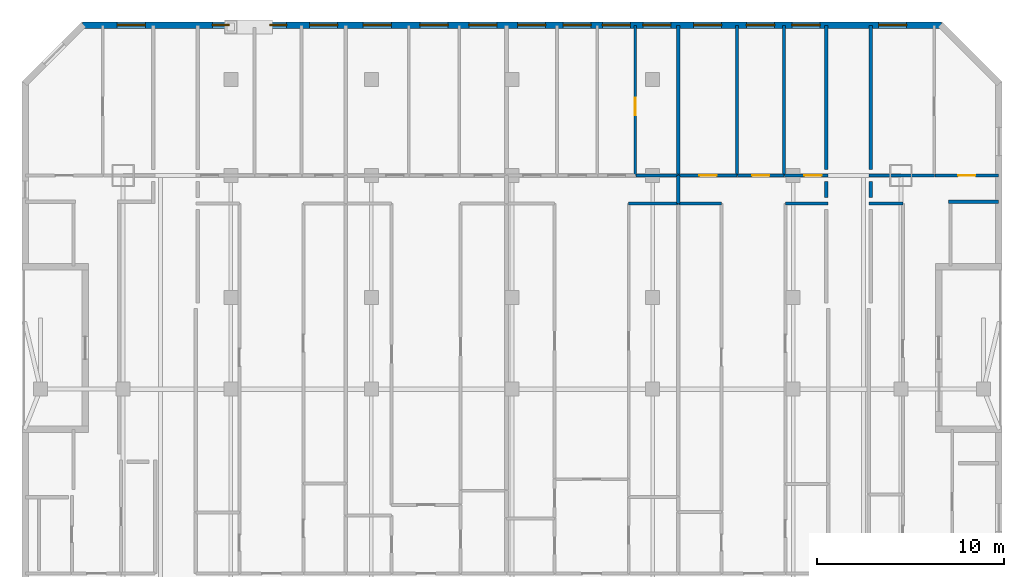
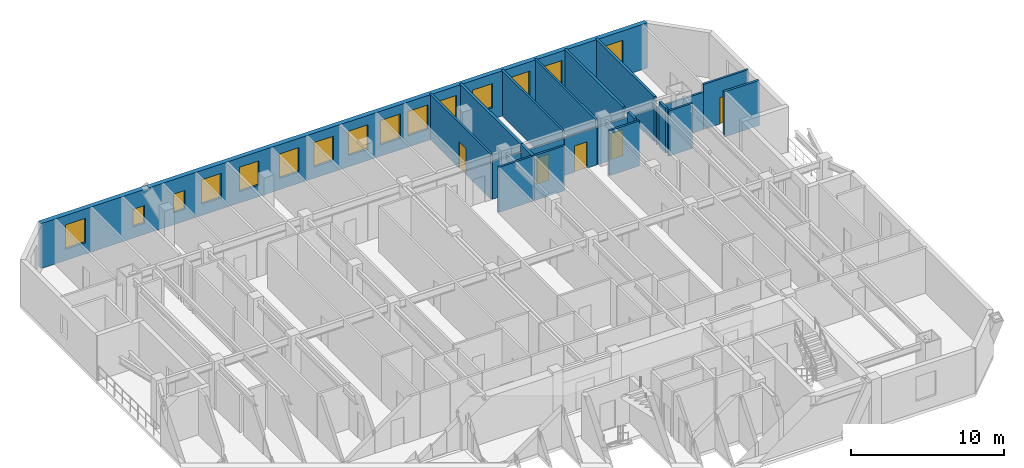
# One storey, part 8 of 11: 21 walls, 15 windows, 5 doors, 20 openings.
"""IFC4 building model written with IfcOpenShell, lengths in metres."""

from ifc_helpers import new_model, si_unit, direction, frame, frame_2d, origin, place, context, subcontext, project, spatial, rectangle, extrude, material, layer, layer_set, type_object, element, fill, save


model = new_model("IFC4")

# Units and contexts
model_context = context("Model", 3, precision=1e-05, world=origin(), true_north=direction((0.0, 1.0)))
body_context = subcontext(model_context, "Body", "Model", "MODEL_VIEW")
ifc_project = project(units=[si_unit("LENGTHUNIT", "METRE"), si_unit("AREAUNIT", "SQUARE_METRE"), si_unit("VOLUMEUNIT", "CUBIC_METRE"), si_unit("PLANEANGLEUNIT", "RADIAN"), si_unit("MASSUNIT", "GRAM", prefix="KILO")], contexts=[model_context])

# Site, building, storey
site_placement = place(None, origin())
site = spatial("IfcSite", under=ifc_project, at=site_placement, CompositionType="ELEMENT")
building_placement = place(site_placement, origin())
building = spatial("IfcBuilding", under=site, at=building_placement, Name="Ventersveld Concourse Tower", CompositionType="ELEMENT")
storey_placement = place(building_placement, frame((0.0, 0.0, 119.550048828125)))
storey = spatial("IfcBuildingStorey", under=building, at=storey_placement, Name="L29", CompositionType="ELEMENT", Elevation=119.550048828125)

# Walls
ifc_material_1 = material(Name="Fire-rated autoclaved aerated masonry blockwork", Category="masonry")
ifc_layer_1 = layer(ifc_material_1, 0.179931640625)
ifc_layer_set_1 = layer_set([ifc_layer_1], Name="Fire-rated autoclaved aerated masonry blockwork")
wall_type_1 = type_object("IfcWallType", Name="WL-CORR-180", PredefinedType="PARTITIONING", material=ifc_layer_set_1)
wall_1_placement = place(storey_placement, frame((47.8798828125, 33.824951171875, 0.0), z_axis=(0.0, 0.0, 1.0), x_axis=(0.0, 1.0, 0.0)))
element("IfcWall", 1, at=wall_1_placement, inside=storey, type_object=wall_type_1, Name="L29 Room Enclosure Wall SP-L29-29NE-LIV", PredefinedType="PARTITIONING", context=body_context, shape_type="SweptSolid", body=[
    extrude(rectangle(XDim=0.85009765625, YDim=0.179931640625, at=frame_2d((0.425048828125, 0.0))), origin(), (0.0, 0.0, 1.0), 3.599853515625),
])
wall_2_placement = place(storey_placement, frame((54.68994140625, 33.590087890625, 0.0), z_axis=(0.0, 0.0, 1.0), x_axis=(-1.0, 0.0, 0.0)))
element("IfcWall", 2, at=wall_2_placement, inside=storey, type_object=wall_type_1, Name="L29 Room Enclosure Wall SP-L29-29NE-LIV", PredefinedType="PARTITIONING", context=body_context, shape_type="SweptSolid", body=[
    extrude(rectangle(XDim=2.64453125, YDim=0.179931640625, at=frame_2d((1.322265625, 0.0))), origin(), (0.0, 0.0, 1.0), 3.599853515625),
])
wall_3_placement = place(storey_placement, frame((47.8798828125, 35.324951171875, 0.0), z_axis=(0.0, 0.0, 1.0), x_axis=(0.0, 1.0, 0.0)))
element("IfcWall", 3, at=wall_3_placement, inside=storey, type_object=wall_type_1, Name="L29 Room Enclosure Wall SP-L29-29NE-BR1", PredefinedType="PARTITIONING", context=body_context, shape_type="SweptSolid", body=[
    extrude(rectangle(XDim=7.6650390625, YDim=0.179931640625, at=frame_2d((3.83251953125, 0.0))), origin(), (0.0, 0.0, 1.0), 3.599853515625),
])
wall_4_placement = place(storey_placement, frame((45.52001953125, 34.675048828125, 0.0), z_axis=(0.0, 0.0, 1.0), x_axis=(0.0, -1.0, 0.0)))
element("IfcWall", 4, at=wall_4_placement, inside=storey, type_object=wall_type_1, Name="L29 Room Enclosure Wall SP-L29-29N4-LIV", PredefinedType="PARTITIONING", context=body_context, shape_type="SweptSolid", body=[
    extrude(rectangle(XDim=0.85009765625, YDim=0.179931640625, at=frame_2d((0.425048828125, 0.0))), origin(), (0.0, 0.0, 1.0), 3.599853515625),
])
wall_5_placement = place(storey_placement, frame((45.52001953125, 42.989990234375, 0.0), z_axis=(0.0, 0.0, 1.0), x_axis=(0.0, -1.0, 0.0)))
element("IfcWall", 5, at=wall_5_placement, inside=storey, type_object=wall_type_1, Name="L29 Room Enclosure Wall SP-L29-29N4-BR3", PredefinedType="PARTITIONING", context=body_context, shape_type="SweptSolid", body=[
    extrude(rectangle(XDim=7.6650390625, YDim=0.179931640625, at=frame_2d((3.83251953125, 0.0))), origin(), (0.0, 0.0, 1.0), 3.599853515625),
])
ifc_layer_2 = layer(ifc_material_1, 0.199951171875)
ifc_layer_set_2 = layer_set([ifc_layer_2], Name="Fire-rated autoclaved aerated masonry blockwork")
wall_type_2 = type_object("IfcWallType", Name="WL-DEMISE-200", PredefinedType="PARTITIONING", material=ifc_layer_set_2)
wall_6_placement = place(storey_placement, frame((37.620849609375, 33.4951171875, 0.0), z_axis=(0.0, 0.0, 1.0), x_axis=(0.0, 1.0, 0.0)))
element("IfcWall", 6, at=wall_6_placement, inside=storey, type_object=wall_type_2, Name="L29 Interior Partition SP-L29-29N3-LIV-SP-L29-29N4-LIV", PredefinedType="PARTITIONING", context=body_context, shape_type="SweptSolid", body=[
    extrude(rectangle(XDim=1.509765625, YDim=0.199951171875, at=frame_2d((0.7548828125, 0.0))), origin(), (0.0, 0.0, 1.0), 3.599853515625),
])
wall_7_placement = place(storey_placement, frame((37.620849609375, 35.034912109375, 0.0), z_axis=(0.0, 0.0, 1.0), x_axis=(0.0, 1.0, 0.0)))
element("IfcWall", 7, at=wall_7_placement, inside=storey, type_object=wall_type_2, Name="L29 Interior Partition SP-L29-29N3-BR4-SP-L29-29N4-BR1", PredefinedType="PARTITIONING", context=body_context, shape_type="SweptSolid", body=[
    extrude(rectangle(XDim=7.955078125, YDim=0.199951171875, at=frame_2d((3.9775390625, 0.0))), origin(), (0.0, 0.0, 1.0), 3.599853515625),
])
ifc_material_2 = material(Name="Autoclaved aerated masonry blockwork", Category="masonry")
ifc_layer_3 = layer(ifc_material_2, 0.14990234375)
ifc_layer_set_3 = layer_set([ifc_layer_3], Name="Autoclaved aerated masonry blockwork")
wall_type_3 = type_object("IfcWallType", Name="WL-INT-150", PredefinedType="PARTITIONING", material=ifc_layer_set_3)
wall_8_placement = place(storey_placement, frame((47.784912109375, 33.5, 0.0), z_axis=(0.0, 0.0, 1.0), x_axis=(1.0, 0.0, 0.0)))
element("IfcWall", 8, at=wall_8_placement, inside=storey, type_object=wall_type_3, Name="L29 Interior Partition SP-L29-29NE-LIV-SP-L29-29NE-OFFL0", PredefinedType="PARTITIONING", context=body_context, shape_type="SweptSolid", body=[
    extrude(rectangle(XDim=1.824462890625, YDim=0.14990234375, at=frame_2d((0.912109375, 0.0))), origin(), (0.0, 0.0, 1.0), 3.599853515625),
])
wall_9_placement = place(storey_placement, frame((47.784912109375, 35.0, 0.0), z_axis=(0.0, 0.0, 1.0), x_axis=(1.0, 0.0, 0.0)))
element("IfcWall", 9, at=wall_9_placement, inside=storey, type_object=wall_type_3, Name="L29 Interior Partition SP-L29-29NE-LIV-SP-L29-29NE-BR1", PredefinedType="PARTITIONING", context=body_context, shape_type="SweptSolid", body=[
    extrude(rectangle(XDim=3.498291015625, YDim=0.14990234375, at=frame_2d((1.7490234375, 0.0))), origin(), (0.0, 0.0, 1.0), 2.982666015625),
])

# Wall, opening, door
wall_10_placement = place(storey_placement, frame((51.313232421875, 35.0, 0.0), z_axis=(0.0, 0.0, 1.0), x_axis=(1.0, 0.0, 0.0)))
wall_10 = element("IfcWall", 10, at=wall_10_placement, inside=storey, type_object=wall_type_3, Name="L29 Interior Partition SP-L29-29NE-LIV-SP-L29-29NE-BR2", PredefinedType="PARTITIONING", context=body_context, shape_type="SweptSolid", body=[
    extrude(rectangle(XDim=3.376708984375, YDim=0.14990234375, at=frame_2d((1.6884765625, 0.0))), origin(), (0.0, 0.0, 1.0), 3.599853515625),
])
opening_1_placement = place(wall_10_placement, frame((1.228515625, 0.0, 0.0)))
opening_1 = element("IfcOpeningElement", 11, at=opening_1_placement, cuts=wall_10, Name="Opening ID1", PredefinedType="OPENING", context=body_context, shape_type="SweptSolid", body=[
    extrude(rectangle(XDim=0.919921875, YDim=2.10009765625, at=frame_2d((0.4599609375, 1.050048828125))), frame((0.0, 0.0849609375, 0.0), z_axis=(0.0, -1.0, 0.0), x_axis=(1.0, 0.0, 0.0)), (0.0, 0.0, 1.0), 0.169921875),
])
ifc_material_3 = material(Name="Solid-core hardwood veneer timber", Category="wood")
door_type = type_object("IfcDoorType", Name="DR-ROOM-092", OperationType="NOTDEFINED", PredefinedType="DOOR", material=ifc_material_3)
door_1_placement = place(opening_1_placement, origin())
door_1 = element("IfcDoor", 12, at=door_1_placement, inside=storey, type_object=door_type, Name="L29 Interior Door SP-L29-29NE-LIV to SP-L29-29NE-BR2 (D-L29-1446)", OperationType="SINGLE_SWING_RIGHT", OverallHeight=2.10009765625, OverallWidth=0.919921875, PredefinedType="DOOR", context=body_context, shape_type="SweptSolid", body=[
    extrude(rectangle(XDim=0.919921875, YDim=2.10009765625, at=frame_2d((0.4599609375, 1.050048828125))), frame((0.0, 0.02490234375, 0.0), z_axis=(0.0, -1.0, 0.0), x_axis=(1.0, 0.0, 0.0)), (0.0, 0.0, 1.0), 0.050048828125),
])
fill(opening_1, door_1)

# Walls
wall_11_placement = place(storey_placement, frame((34.97265625, 33.5, 0.0), z_axis=(0.0, 0.0, 1.0), x_axis=(1.0, 0.0, 0.0)))
element("IfcWall", 13, at=wall_11_placement, inside=storey, type_object=wall_type_3, Name="L29 Interior Partition SP-L29-29N3-LIV-SP-L29-29N3-DENR", PredefinedType="PARTITIONING", context=body_context, shape_type="SweptSolid", body=[
    extrude(rectangle(XDim=2.653076171875, YDim=0.14990234375, at=frame_2d((1.32666015625, 0.0))), origin(), (0.0, 0.0, 1.0), 3.599853515625),
])
wall_12_placement = place(storey_placement, frame((35.364501953125, 35.0, 0.0), z_axis=(0.0, 0.0, 1.0), x_axis=(1.0, 0.0, 0.0)))
element("IfcWall", 14, at=wall_12_placement, inside=storey, type_object=wall_type_3, Name="L29 Interior Partition SP-L29-29N3-LIV-SP-L29-29N3-BR4", PredefinedType="PARTITIONING", context=body_context, shape_type="SweptSolid", body=[
    extrude(rectangle(XDim=2.26123046875, YDim=0.14990234375, at=frame_2d((1.130615234375, 0.0))), origin(), (0.0, 0.0, 1.0), 2.982666015625),
])

# Wall, opening, door
wall_13_placement = place(storey_placement, frame((35.32958984375, 34.9951171875, 0.0), z_axis=(0.0, 0.0, 1.0), x_axis=(0.0, 1.0, 0.0)))
wall_13 = element("IfcWall", 15, at=wall_13_placement, inside=storey, type_object=wall_type_3, Name="L29 Interior Partition SP-L29-29N3-BR3-SP-L29-29N3-BR4", PredefinedType="PARTITIONING", context=body_context, shape_type="SweptSolid", body=[
    extrude(rectangle(XDim=7.994873046875, YDim=0.14990234375, at=frame_2d((3.99755859375, 0.0))), origin(), (0.0, 0.0, 1.0), 3.599853515625),
])
opening_2_placement = place(wall_13_placement, frame((3.22998046875, 0.0, 0.0)))
opening_2 = element("IfcOpeningElement", 16, at=opening_2_placement, cuts=wall_13, Name="Opening ID1", PredefinedType="OPENING", context=body_context, shape_type="SweptSolid", body=[
    extrude(rectangle(XDim=0.919921875, YDim=2.10009765625, at=frame_2d((0.4599609375, 1.050048828125))), frame((0.0, 0.0849609375, 0.0), z_axis=(0.0, -1.0, 0.0), x_axis=(1.0, 0.0, 0.0)), (0.0, 0.0, 1.0), 0.169921875),
])
door_2_placement = place(opening_2_placement, origin())
door_2 = element("IfcDoor", 17, at=door_2_placement, inside=storey, type_object=door_type, Name="L29 Interior Door Flat 29N3 Bedroom 4 (D-L29-1481)", OperationType="SINGLE_SWING_RIGHT", OverallHeight=2.10009765625, OverallWidth=0.919921875, PredefinedType="DOOR", context=body_context, shape_type="SweptSolid", body=[
    extrude(rectangle(XDim=0.919921875, YDim=2.10009765625, at=frame_2d((0.4599609375, 1.050048828125))), frame((0.0, 0.02490234375, 0.0), z_axis=(0.0, -1.0, 0.0), x_axis=(1.0, 0.0, 0.0)), (0.0, 0.0, 1.0), 0.050048828125),
])
fill(opening_2, door_2)

# Walls
wall_14_placement = place(storey_placement, frame((37.65576171875, 33.5, 0.0), z_axis=(0.0, 0.0, 1.0), x_axis=(1.0, 0.0, 0.0)))
element("IfcWall", 18, at=wall_14_placement, inside=storey, type_object=wall_type_3, Name="L29 Interior Partition SP-L29-29N4-LIV-SP-L29-29N4-DENL", PredefinedType="PARTITIONING", context=body_context, shape_type="SweptSolid", body=[
    extrude(rectangle(XDim=2.274658203125, YDim=0.14990234375, at=frame_2d((1.13720703125, 0.0))), origin(), (0.0, 0.0, 1.0), 3.599853515625),
])
wall_15_placement = place(storey_placement, frame((43.332763671875, 33.5, 0.0), z_axis=(0.0, 0.0, 1.0), x_axis=(1.0, 0.0, 0.0)))
element("IfcWall", 19, at=wall_15_placement, inside=storey, type_object=wall_type_3, Name="L29 Interior Partition SP-L29-29N4-LIV-SP-L29-29N4-DENR", PredefinedType="PARTITIONING", context=body_context, shape_type="SweptSolid", body=[
    extrude(rectangle(XDim=2.2822265625, YDim=0.14990234375, at=frame_2d((1.14111328125, 0.0))), origin(), (0.0, 0.0, 1.0), 3.599853515625),
])

# Wall, opening, door
wall_16_placement = place(storey_placement, frame((37.65576171875, 35.0, 0.0), z_axis=(0.0, 0.0, 1.0), x_axis=(1.0, 0.0, 0.0)))
wall_16 = element("IfcWall", 20, at=wall_16_placement, inside=storey, type_object=wall_type_3, Name="L29 Interior Partition SP-L29-29N4-LIV-SP-L29-29N4-BR1", PredefinedType="PARTITIONING", context=body_context, shape_type="SweptSolid", body=[
    extrude(rectangle(XDim=3.0986328125, YDim=0.14990234375, at=frame_2d((1.54931640625, 0.0))), origin(), (0.0, 0.0, 1.0), 2.982666015625),
])
opening_3_placement = place(wall_16_placement, frame((1.08935546875, 0.0, 0.0)))
opening_3 = element("IfcOpeningElement", 21, at=opening_3_placement, cuts=wall_16, Name="Opening ID1", PredefinedType="OPENING", context=body_context, shape_type="SweptSolid", body=[
    extrude(rectangle(XDim=0.919921875, YDim=2.10009765625, at=frame_2d((0.4599609375, 1.050048828125))), frame((0.0, 0.0849609375, 0.0), z_axis=(0.0, -1.0, 0.0), x_axis=(1.0, 0.0, 0.0)), (0.0, 0.0, 1.0), 0.169921875),
])
door_3_placement = place(opening_3_placement, origin())
door_3 = element("IfcDoor", 22, at=door_3_placement, inside=storey, type_object=door_type, Name="L29 Interior Door SP-L29-29N4-LIV to SP-L29-29N4-BR1 (D-L29-1476)", OperationType="SINGLE_SWING_RIGHT", OverallHeight=2.10009765625, OverallWidth=0.919921875, PredefinedType="DOOR", context=body_context, shape_type="SweptSolid", body=[
    extrude(rectangle(XDim=0.919921875, YDim=2.10009765625, at=frame_2d((0.4599609375, 1.050048828125))), frame((0.0, 0.02490234375, 0.0), z_axis=(0.0, -1.0, 0.0), x_axis=(1.0, 0.0, 0.0)), (0.0, 0.0, 1.0), 0.050048828125),
])
fill(opening_3, door_3)

wall_17_placement = place(storey_placement, frame((40.784423828125, 35.0, 0.0), z_axis=(0.0, 0.0, 1.0), x_axis=(1.0, 0.0, 0.0)))
wall_17 = element("IfcWall", 23, at=wall_17_placement, inside=storey, type_object=wall_type_3, Name="L29 Interior Partition SP-L29-29N4-LIV-SP-L29-29N4-BR2", PredefinedType="PARTITIONING", context=body_context, shape_type="SweptSolid", body=[
    extrude(rectangle(XDim=2.477783203125, YDim=0.14990234375, at=frame_2d((1.23876953125, 0.0))), origin(), (0.0, 0.0, 1.0), 2.982666015625),
])
opening_4_placement = place(wall_17_placement, frame((0.779052734375, 0.0, 0.0)))
opening_4 = element("IfcOpeningElement", 24, at=opening_4_placement, cuts=wall_17, Name="Opening ID1", PredefinedType="OPENING", context=body_context, shape_type="SweptSolid", body=[
    extrude(rectangle(XDim=0.919921875, YDim=2.10009765625, at=frame_2d((0.4599609375, 1.050048828125))), frame((0.0, 0.0849609375, 0.0), z_axis=(0.0, -1.0, 0.0), x_axis=(1.0, 0.0, 0.0)), (0.0, 0.0, 1.0), 0.169921875),
])
door_4_placement = place(opening_4_placement, origin())
door_4 = element("IfcDoor", 25, at=door_4_placement, inside=storey, type_object=door_type, Name="L29 Interior Door SP-L29-29N4-LIV to SP-L29-29N4-BR2 (D-L29-1477)", OperationType="SINGLE_SWING_LEFT", OverallHeight=2.10009765625, OverallWidth=0.919921875, PredefinedType="DOOR", context=body_context, shape_type="SweptSolid", body=[
    extrude(rectangle(XDim=0.919921875, YDim=2.10009765625, at=frame_2d((0.4599609375, 1.050048828125))), frame((0.0, 0.02490234375, 0.0), z_axis=(0.0, -1.0, 0.0), x_axis=(1.0, 0.0, 0.0)), (0.0, 0.0, 1.0), 0.050048828125),
])
fill(opening_4, door_4)

wall_18_placement = place(storey_placement, frame((43.292236328125, 35.0, 0.0), z_axis=(0.0, 0.0, 1.0), x_axis=(1.0, 0.0, 0.0)))
wall_18 = element("IfcWall", 26, at=wall_18_placement, inside=storey, type_object=wall_type_3, Name="L29 Interior Partition SP-L29-29N4-LIV-SP-L29-29N4-BR3", PredefinedType="PARTITIONING", context=body_context, shape_type="SweptSolid", body=[
    extrude(rectangle(XDim=2.32275390625, YDim=0.14990234375, at=frame_2d((1.161376953125, 0.0))), origin(), (0.0, 0.0, 1.0), 2.982666015625),
])
opening_5_placement = place(wall_18_placement, frame((1.0498046875, 0.0, 0.0)))
opening_5 = element("IfcOpeningElement", 27, at=opening_5_placement, cuts=wall_18, Name="Opening ID1", PredefinedType="OPENING", context=body_context, shape_type="SweptSolid", body=[
    extrude(rectangle(XDim=0.919921875, YDim=2.10009765625, at=frame_2d((0.4599609375, 1.050048828125))), frame((0.0, 0.0849609375, 0.0), z_axis=(0.0, -1.0, 0.0), x_axis=(1.0, 0.0, 0.0)), (0.0, 0.0, 1.0), 0.169921875),
])
door_5_placement = place(opening_5_placement, origin())
door_5 = element("IfcDoor", 28, at=door_5_placement, inside=storey, type_object=door_type, Name="L29 Interior Door SP-L29-29N4-LIV to SP-L29-29N4-BR3 (D-L29-1478)", OperationType="SINGLE_SWING_RIGHT", OverallHeight=2.10009765625, OverallWidth=0.919921875, PredefinedType="DOOR", context=body_context, shape_type="SweptSolid", body=[
    extrude(rectangle(XDim=0.919921875, YDim=2.10009765625, at=frame_2d((0.4599609375, 1.050048828125))), frame((0.0, 0.02490234375, 0.0), z_axis=(0.0, -1.0, 0.0), x_axis=(1.0, 0.0, 0.0)), (0.0, 0.0, 1.0), 0.050048828125),
])
fill(opening_5, door_5)

# Walls
for number, where, z_axis, x_axis, name in (
    (29, (40.74951171875, 34.9951171875, 0.0), (0.0, 0.0, 1.0), (0.0, 1.0, 0.0), "L29 Interior Partition SP-L29-29N4-BR1-SP-L29-29N4-BR2"),
    (30, (43.25732421875, 34.9951171875, 0.0), (0.0, 0.0, 1.0), (0.0, 1.0, 0.0), "L29 Interior Partition SP-L29-29N4-BR2-SP-L29-29N4-BR3"),
):
    element("IfcWall", number, at=place(storey_placement, frame(where, z_axis=z_axis, x_axis=x_axis)), inside=storey, type_object=wall_type_3, Name=name, PredefinedType="PARTITIONING", context=body_context, shape_type="SweptSolid", body=[
        extrude(rectangle(XDim=7.994873046875, YDim=0.14990234375, at=frame_2d((3.99755859375, 0.0))), origin(), (0.0, 0.0, 1.0), 3.599853515625),
    ])

# Wall, openings, windows
ifc_material_4 = material(Name="Precast concrete C45/55", Category="concrete")
ifc_layer_4 = layer(ifc_material_4, 0.35009765625)
ifc_layer_set_4 = layer_set([ifc_layer_4], Name="Precast concrete C45/55")
wall_type_4 = type_object("IfcWallType", Name="WL-PREC-350", PredefinedType="SOLIDWALL", material=ifc_layer_set_4)
wall_19_placement = place(storey_placement, frame((51.659912109375, 43.02490234375, 0.0), z_axis=(0.0, 0.0, 1.0), x_axis=(-1.0, 0.0, 0.0)))
wall_19 = element("IfcWall", 31, at=wall_19_placement, inside=storey, type_object=wall_type_4, Name="L29 Highveld Precast Facade Wall E09", PredefinedType="SOLIDWALL", context=body_context, shape_type="SweptSolid", body=[
    extrude(rectangle(XDim=45.81982421875, YDim=0.35009765625, at=frame_2d((22.909912109375, 0.0))), origin(), (0.0, 0.0, 1.0), 3.599853515625),
])
opening_6_placement = place(wall_19_placement, frame((42.467529296875, 0.0, 0.89990234375)))
opening_6 = element("IfcOpeningElement", 32, at=opening_6_placement, cuts=wall_19, Name="Opening W1", PredefinedType="OPENING", context=body_context, shape_type="SweptSolid", body=[
    extrude(rectangle(XDim=1.5, YDim=1.949951171875, at=frame_2d((0.75, 0.97509765625))), frame((0.0, 0.18505859375, 0.0), z_axis=(0.0, -1.0, 0.0), x_axis=(1.0, 0.0, 0.0)), (0.0, 0.0, 1.0), 0.3701171875),
])
opening_7_placement = place(wall_19_placement, frame((1.8525390625, 0.0, 0.89990234375)))
opening_7 = element("IfcOpeningElement", 33, at=opening_7_placement, cuts=wall_19, Name="Opening W1", PredefinedType="OPENING", context=body_context, shape_type="SweptSolid", body=[
    extrude(rectangle(XDim=1.5, YDim=1.949951171875, at=frame_2d((0.75, 0.97509765625))), frame((0.0, 0.18505859375, 0.0), z_axis=(0.0, -1.0, 0.0), x_axis=(1.0, 0.0, 0.0)), (0.0, 0.0, 1.0), 0.3701171875),
])
opening_8_placement = place(wall_19_placement, frame((37.994384765625, 0.0, 0.89990234375)))
opening_8 = element("IfcOpeningElement", 34, at=opening_8_placement, cuts=wall_19, Name="Opening W8", PredefinedType="OPENING", context=body_context, shape_type="SweptSolid", body=[
    extrude(rectangle(XDim=0.89990234375, YDim=1.39990234375, at=frame_2d((0.449951171875, 0.699951171875))), frame((0.0, 0.18505859375, 0.0), z_axis=(0.0, -1.0, 0.0), x_axis=(1.0, 0.0, 0.0)), (0.0, 0.0, 1.0), 0.3701171875),
])
opening_9_placement = place(wall_19_placement, frame((34.9375, 0.0, 0.949951171875)))
opening_9 = element("IfcOpeningElement", 35, at=opening_9_placement, cuts=wall_19, Name="Opening W4", PredefinedType="OPENING", context=body_context, shape_type="SweptSolid", body=[
    extrude(rectangle(XDim=0.89990234375, YDim=1.5, at=frame_2d((0.449951171875, 0.75))), frame((0.0, 0.18505859375, 0.0), z_axis=(0.0, -1.0, 0.0), x_axis=(1.0, 0.0, 0.0)), (0.0, 0.0, 1.0), 0.3701171875),
])
opening_10_placement = place(wall_19_placement, frame((32.20703125, 0.0, 0.89990234375)))
opening_10 = element("IfcOpeningElement", 36, at=opening_10_placement, cuts=wall_19, Name="Opening W1", PredefinedType="OPENING", context=body_context, shape_type="SweptSolid", body=[
    extrude(rectangle(XDim=1.5, YDim=1.949951171875, at=frame_2d((0.75, 0.97509765625))), frame((0.0, 0.18505859375, 0.0), z_axis=(0.0, -1.0, 0.0), x_axis=(1.0, 0.0, 0.0)), (0.0, 0.0, 1.0), 0.3701171875),
])
opening_11_placement = place(wall_19_placement, frame((29.35009765625, 0.0, 0.89990234375)))
opening_11 = element("IfcOpeningElement", 37, at=opening_11_placement, cuts=wall_19, Name="Opening W1", PredefinedType="OPENING", context=body_context, shape_type="SweptSolid", body=[
    extrude(rectangle(XDim=1.5, YDim=1.949951171875, at=frame_2d((0.75, 0.97509765625))), frame((0.0, 0.18505859375, 0.0), z_axis=(0.0, -1.0, 0.0), x_axis=(1.0, 0.0, 0.0)), (0.0, 0.0, 1.0), 0.3701171875),
])
opening_12_placement = place(wall_19_placement, frame((26.32373046875, 0.0, 0.89990234375)))
opening_12 = element("IfcOpeningElement", 38, at=opening_12_placement, cuts=wall_19, Name="Opening W1", PredefinedType="OPENING", context=body_context, shape_type="SweptSolid", body=[
    extrude(rectangle(XDim=1.5, YDim=1.949951171875, at=frame_2d((0.75, 0.97509765625))), frame((0.0, 0.18505859375, 0.0), z_axis=(0.0, -1.0, 0.0), x_axis=(1.0, 0.0, 0.0)), (0.0, 0.0, 1.0), 0.3701171875),
])
opening_13_placement = place(wall_19_placement, frame((23.7158203125, 0.0, 0.89990234375)))
opening_13 = element("IfcOpeningElement", 39, at=opening_13_placement, cuts=wall_19, Name="Opening W1", PredefinedType="OPENING", context=body_context, shape_type="SweptSolid", body=[
    extrude(rectangle(XDim=1.5, YDim=1.949951171875, at=frame_2d((0.75, 0.97509765625))), frame((0.0, 0.18505859375, 0.0), z_axis=(0.0, -1.0, 0.0), x_axis=(1.0, 0.0, 0.0)), (0.0, 0.0, 1.0), 0.3701171875),
])
opening_14_placement = place(wall_19_placement, frame((21.1103515625, 0.0, 0.89990234375)))
opening_14 = element("IfcOpeningElement", 40, at=opening_14_placement, cuts=wall_19, Name="Opening W1", PredefinedType="OPENING", context=body_context, shape_type="SweptSolid", body=[
    extrude(rectangle(XDim=1.5, YDim=1.949951171875, at=frame_2d((0.75, 0.97509765625))), frame((0.0, 0.18505859375, 0.0), z_axis=(0.0, -1.0, 0.0), x_axis=(1.0, 0.0, 0.0)), (0.0, 0.0, 1.0), 0.3701171875),
])
opening_15_placement = place(wall_19_placement, frame((18.687255859375, 0.0, 0.89990234375)))
opening_15 = element("IfcOpeningElement", 41, at=opening_15_placement, cuts=wall_19, Name="Opening W1", PredefinedType="OPENING", context=body_context, shape_type="SweptSolid", body=[
    extrude(rectangle(XDim=1.5, YDim=1.949951171875, at=frame_2d((0.75, 0.97509765625))), frame((0.0, 0.18505859375, 0.0), z_axis=(0.0, -1.0, 0.0), x_axis=(1.0, 0.0, 0.0)), (0.0, 0.0, 1.0), 0.3701171875),
])
opening_16_placement = place(wall_19_placement, frame((16.593994140625, 0.0, 0.89990234375)))
opening_16 = element("IfcOpeningElement", 42, at=opening_16_placement, cuts=wall_19, Name="Opening W1", PredefinedType="OPENING", context=body_context, shape_type="SweptSolid", body=[
    extrude(rectangle(XDim=1.5, YDim=1.949951171875, at=frame_2d((0.75, 0.97509765625))), frame((0.0, 0.18505859375, 0.0), z_axis=(0.0, -1.0, 0.0), x_axis=(1.0, 0.0, 0.0)), (0.0, 0.0, 1.0), 0.3701171875),
])
opening_17_placement = place(wall_19_placement, frame((14.434814453125, 0.0, 0.89990234375)))
opening_17 = element("IfcOpeningElement", 43, at=opening_17_placement, cuts=wall_19, Name="Opening W1", PredefinedType="OPENING", context=body_context, shape_type="SweptSolid", body=[
    extrude(rectangle(XDim=1.5, YDim=1.949951171875, at=frame_2d((0.75, 0.97509765625))), frame((0.0, 0.18505859375, 0.0), z_axis=(0.0, -1.0, 0.0), x_axis=(1.0, 0.0, 0.0)), (0.0, 0.0, 1.0), 0.3701171875),
])
opening_18_placement = place(wall_19_placement, frame((11.724853515625, 0.0, 0.89990234375)))
opening_18 = element("IfcOpeningElement", 44, at=opening_18_placement, cuts=wall_19, Name="Opening W1", PredefinedType="OPENING", context=body_context, shape_type="SweptSolid", body=[
    extrude(rectangle(XDim=1.5, YDim=1.949951171875, at=frame_2d((0.75, 0.97509765625))), frame((0.0, 0.18505859375, 0.0), z_axis=(0.0, -1.0, 0.0), x_axis=(1.0, 0.0, 0.0)), (0.0, 0.0, 1.0), 0.3701171875),
])
opening_19_placement = place(wall_19_placement, frame((8.906494140625, 0.0, 0.89990234375)))
opening_19 = element("IfcOpeningElement", 45, at=opening_19_placement, cuts=wall_19, Name="Opening W1", PredefinedType="OPENING", context=body_context, shape_type="SweptSolid", body=[
    extrude(rectangle(XDim=1.5, YDim=1.949951171875, at=frame_2d((0.75, 0.97509765625))), frame((0.0, 0.18505859375, 0.0), z_axis=(0.0, -1.0, 0.0), x_axis=(1.0, 0.0, 0.0)), (0.0, 0.0, 1.0), 0.3701171875),
])
opening_20_placement = place(wall_19_placement, frame((6.476318359375, 0.0, 0.89990234375)))
opening_20 = element("IfcOpeningElement", 46, at=opening_20_placement, cuts=wall_19, Name="Opening W1", PredefinedType="OPENING", context=body_context, shape_type="SweptSolid", body=[
    extrude(rectangle(XDim=1.5, YDim=1.949951171875, at=frame_2d((0.75, 0.97509765625))), frame((0.0, 0.18505859375, 0.0), z_axis=(0.0, -1.0, 0.0), x_axis=(1.0, 0.0, 0.0)), (0.0, 0.0, 1.0), 0.3701171875),
])
ifc_material_5 = material(Name="Tempered acoustic Low-E IGU", Category="glass")
window_type_1 = type_object("IfcWindowType", Name="WIN-090x140", PartitioningType="SINGLE_PANEL", PredefinedType="WINDOW", material=ifc_material_5)
window_1_placement = place(opening_8_placement, origin())
window_1 = element("IfcWindow", 47, at=window_1_placement, inside=storey, type_object=window_type_1, Name="L29 Punched Low-E Window W-0364", OverallHeight=1.39990234375, OverallWidth=0.89990234375, PartitioningType="SINGLE_PANEL", PredefinedType="WINDOW", context=body_context, shape_type="SweptSolid", body=[
    extrude(rectangle(XDim=0.89990234375, YDim=1.39990234375, at=frame_2d((0.449951171875, 0.699951171875))), frame((0.0, 0.030029296875, 0.0), z_axis=(0.0, -1.0, 0.0), x_axis=(1.0, 0.0, 0.0)), (0.0, 0.0, 1.0), 0.06005859375),
])
fill(opening_8, window_1)
window_type_2 = type_object("IfcWindowType", Name="WIN-090x150", PartitioningType="SINGLE_PANEL", PredefinedType="WINDOW", material=ifc_material_5)
window_2_placement = place(opening_9_placement, origin())
window_2 = element("IfcWindow", 48, at=window_2_placement, inside=storey, type_object=window_type_2, Name="L29 Punched Low-E Window W-0365", OverallHeight=1.5, OverallWidth=0.89990234375, PartitioningType="SINGLE_PANEL", PredefinedType="WINDOW", context=body_context, shape_type="SweptSolid", body=[
    extrude(rectangle(XDim=0.89990234375, YDim=1.5, at=frame_2d((0.449951171875, 0.75))), frame((0.0, 0.030029296875, 0.0), z_axis=(0.0, -1.0, 0.0), x_axis=(1.0, 0.0, 0.0)), (0.0, 0.0, 1.0), 0.06005859375),
])
fill(opening_9, window_2)
window_type_3 = type_object("IfcWindowType", Name="WIN-150x210", PartitioningType="SINGLE_PANEL", PredefinedType="WINDOW", material=ifc_material_5)
window_3_placement = place(opening_6_placement, origin())
window_3 = element("IfcWindow", 49, at=window_3_placement, inside=storey, type_object=window_type_3, Name="L29 Punched Low-E Window W-0359", OverallHeight=1.949951171875, OverallWidth=1.5, PartitioningType="SINGLE_PANEL", PredefinedType="WINDOW", context=body_context, shape_type="SweptSolid", body=[
    extrude(rectangle(XDim=1.5, YDim=1.949951171875, at=frame_2d((0.75, 0.97509765625))), frame((0.0, 0.030029296875, 0.0), z_axis=(0.0, -1.0, 0.0), x_axis=(1.0, 0.0, 0.0)), (0.0, 0.0, 1.0), 0.06005859375),
])
fill(opening_6, window_3)
window_4_placement = place(opening_7_placement, origin())
window_4 = element("IfcWindow", 50, at=window_4_placement, inside=storey, type_object=window_type_3, Name="L29 Punched Low-E Window W-0362", OverallHeight=1.949951171875, OverallWidth=1.5, PartitioningType="SINGLE_PANEL", PredefinedType="WINDOW", context=body_context, shape_type="SweptSolid", body=[
    extrude(rectangle(XDim=1.5, YDim=1.949951171875, at=frame_2d((0.75, 0.97509765625))), frame((0.0, 0.030029296875, 0.0), z_axis=(0.0, -1.0, 0.0), x_axis=(1.0, 0.0, 0.0)), (0.0, 0.0, 1.0), 0.06005859375),
])
fill(opening_7, window_4)
window_5_placement = place(opening_10_placement, origin())
window_5 = element("IfcWindow", 51, at=window_5_placement, inside=storey, type_object=window_type_3, Name="L29 Punched Low-E Window W-0366", OverallHeight=1.949951171875, OverallWidth=1.5, PartitioningType="SINGLE_PANEL", PredefinedType="WINDOW", context=body_context, shape_type="SweptSolid", body=[
    extrude(rectangle(XDim=1.5, YDim=1.949951171875, at=frame_2d((0.75, 0.97509765625))), frame((0.0, 0.030029296875, 0.0), z_axis=(0.0, -1.0, 0.0), x_axis=(1.0, 0.0, 0.0)), (0.0, 0.0, 1.0), 0.06005859375),
])
fill(opening_10, window_5)
window_6_placement = place(opening_11_placement, origin())
window_6 = element("IfcWindow", 52, at=window_6_placement, inside=storey, type_object=window_type_3, Name="L29 Punched Low-E Window W-0367", OverallHeight=1.949951171875, OverallWidth=1.5, PartitioningType="SINGLE_PANEL", PredefinedType="WINDOW", context=body_context, shape_type="SweptSolid", body=[
    extrude(rectangle(XDim=1.5, YDim=1.949951171875, at=frame_2d((0.75, 0.97509765625))), frame((0.0, 0.030029296875, 0.0), z_axis=(0.0, -1.0, 0.0), x_axis=(1.0, 0.0, 0.0)), (0.0, 0.0, 1.0), 0.06005859375),
])
fill(opening_11, window_6)
window_7_placement = place(opening_12_placement, origin())
window_7 = element("IfcWindow", 53, at=window_7_placement, inside=storey, type_object=window_type_3, Name="L29 Punched Low-E Window W-0368", OverallHeight=1.949951171875, OverallWidth=1.5, PartitioningType="SINGLE_PANEL", PredefinedType="WINDOW", context=body_context, shape_type="SweptSolid", body=[
    extrude(rectangle(XDim=1.5, YDim=1.949951171875, at=frame_2d((0.75, 0.97509765625))), frame((0.0, 0.030029296875, 0.0), z_axis=(0.0, -1.0, 0.0), x_axis=(1.0, 0.0, 0.0)), (0.0, 0.0, 1.0), 0.06005859375),
])
fill(opening_12, window_7)
window_8_placement = place(opening_13_placement, origin())
window_8 = element("IfcWindow", 54, at=window_8_placement, inside=storey, type_object=window_type_3, Name="L29 Punched Low-E Window W-0369", OverallHeight=1.949951171875, OverallWidth=1.5, PartitioningType="SINGLE_PANEL", PredefinedType="WINDOW", context=body_context, shape_type="SweptSolid", body=[
    extrude(rectangle(XDim=1.5, YDim=1.949951171875, at=frame_2d((0.75, 0.97509765625))), frame((0.0, 0.030029296875, 0.0), z_axis=(0.0, -1.0, 0.0), x_axis=(1.0, 0.0, 0.0)), (0.0, 0.0, 1.0), 0.06005859375),
])
fill(opening_13, window_8)
window_9_placement = place(opening_14_placement, origin())
window_9 = element("IfcWindow", 55, at=window_9_placement, inside=storey, type_object=window_type_3, Name="L29 Punched Low-E Window W-0370", OverallHeight=1.949951171875, OverallWidth=1.5, PartitioningType="SINGLE_PANEL", PredefinedType="WINDOW", context=body_context, shape_type="SweptSolid", body=[
    extrude(rectangle(XDim=1.5, YDim=1.949951171875, at=frame_2d((0.75, 0.97509765625))), frame((0.0, 0.030029296875, 0.0), z_axis=(0.0, -1.0, 0.0), x_axis=(1.0, 0.0, 0.0)), (0.0, 0.0, 1.0), 0.06005859375),
])
fill(opening_14, window_9)
window_10_placement = place(opening_15_placement, origin())
window_10 = element("IfcWindow", 56, at=window_10_placement, inside=storey, type_object=window_type_3, Name="L29 Punched Low-E Window W-0371", OverallHeight=1.949951171875, OverallWidth=1.5, PartitioningType="SINGLE_PANEL", PredefinedType="WINDOW", context=body_context, shape_type="SweptSolid", body=[
    extrude(rectangle(XDim=1.5, YDim=1.949951171875, at=frame_2d((0.75, 0.97509765625))), frame((0.0, 0.030029296875, 0.0), z_axis=(0.0, -1.0, 0.0), x_axis=(1.0, 0.0, 0.0)), (0.0, 0.0, 1.0), 0.06005859375),
])
fill(opening_15, window_10)
window_11_placement = place(opening_16_placement, origin())
window_11 = element("IfcWindow", 57, at=window_11_placement, inside=storey, type_object=window_type_3, Name="L29 Punched Low-E Window W-0372", OverallHeight=1.949951171875, OverallWidth=1.5, PartitioningType="SINGLE_PANEL", PredefinedType="WINDOW", context=body_context, shape_type="SweptSolid", body=[
    extrude(rectangle(XDim=1.5, YDim=1.949951171875, at=frame_2d((0.75, 0.97509765625))), frame((0.0, 0.030029296875, 0.0), z_axis=(0.0, -1.0, 0.0), x_axis=(1.0, 0.0, 0.0)), (0.0, 0.0, 1.0), 0.06005859375),
])
fill(opening_16, window_11)
window_12_placement = place(opening_17_placement, origin())
window_12 = element("IfcWindow", 58, at=window_12_placement, inside=storey, type_object=window_type_3, Name="L29 Punched Low-E Window W-0373", OverallHeight=1.949951171875, OverallWidth=1.5, PartitioningType="SINGLE_PANEL", PredefinedType="WINDOW", context=body_context, shape_type="SweptSolid", body=[
    extrude(rectangle(XDim=1.5, YDim=1.949951171875, at=frame_2d((0.75, 0.97509765625))), frame((0.0, 0.030029296875, 0.0), z_axis=(0.0, -1.0, 0.0), x_axis=(1.0, 0.0, 0.0)), (0.0, 0.0, 1.0), 0.06005859375),
])
fill(opening_17, window_12)
window_13_placement = place(opening_18_placement, origin())
window_13 = element("IfcWindow", 59, at=window_13_placement, inside=storey, type_object=window_type_3, Name="L29 Punched Low-E Window W-0374", OverallHeight=1.949951171875, OverallWidth=1.5, PartitioningType="SINGLE_PANEL", PredefinedType="WINDOW", context=body_context, shape_type="SweptSolid", body=[
    extrude(rectangle(XDim=1.5, YDim=1.949951171875, at=frame_2d((0.75, 0.97509765625))), frame((0.0, 0.030029296875, 0.0), z_axis=(0.0, -1.0, 0.0), x_axis=(1.0, 0.0, 0.0)), (0.0, 0.0, 1.0), 0.06005859375),
])
fill(opening_18, window_13)
window_14_placement = place(opening_19_placement, origin())
window_14 = element("IfcWindow", 60, at=window_14_placement, inside=storey, type_object=window_type_3, Name="L29 Punched Low-E Window W-0375", OverallHeight=1.949951171875, OverallWidth=1.5, PartitioningType="SINGLE_PANEL", PredefinedType="WINDOW", context=body_context, shape_type="SweptSolid", body=[
    extrude(rectangle(XDim=1.5, YDim=1.949951171875, at=frame_2d((0.75, 0.97509765625))), frame((0.0, 0.030029296875, 0.0), z_axis=(0.0, -1.0, 0.0), x_axis=(1.0, 0.0, 0.0)), (0.0, 0.0, 1.0), 0.06005859375),
])
fill(opening_19, window_14)
window_15_placement = place(opening_20_placement, origin())
window_15 = element("IfcWindow", 61, at=window_15_placement, inside=storey, type_object=window_type_3, Name="L29 Punched Low-E Window W-0376", OverallHeight=1.949951171875, OverallWidth=1.5, PartitioningType="SINGLE_PANEL", PredefinedType="WINDOW", context=body_context, shape_type="SweptSolid", body=[
    extrude(rectangle(XDim=1.5, YDim=1.949951171875, at=frame_2d((0.75, 0.97509765625))), frame((0.0, 0.030029296875, 0.0), z_axis=(0.0, -1.0, 0.0), x_axis=(1.0, 0.0, 0.0)), (0.0, 0.0, 1.0), 0.06005859375),
])
fill(opening_20, window_15)

save(model, "model.ifc")
